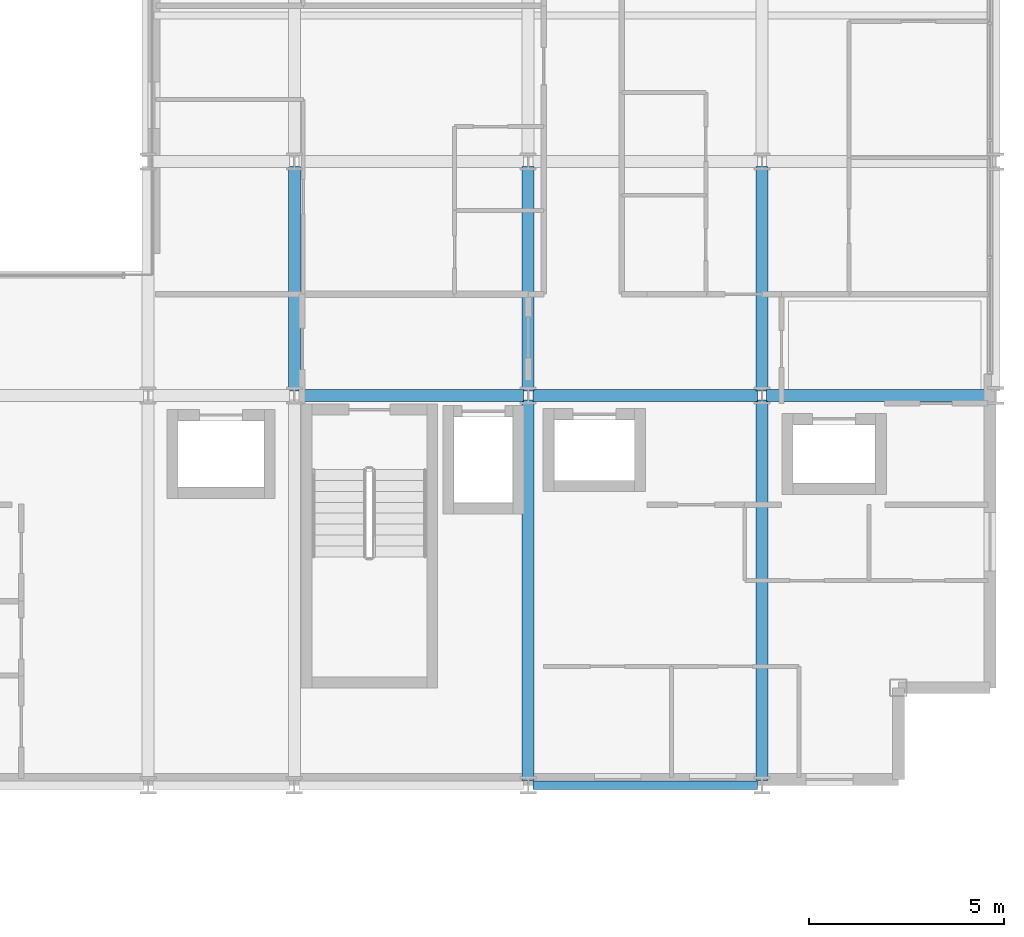
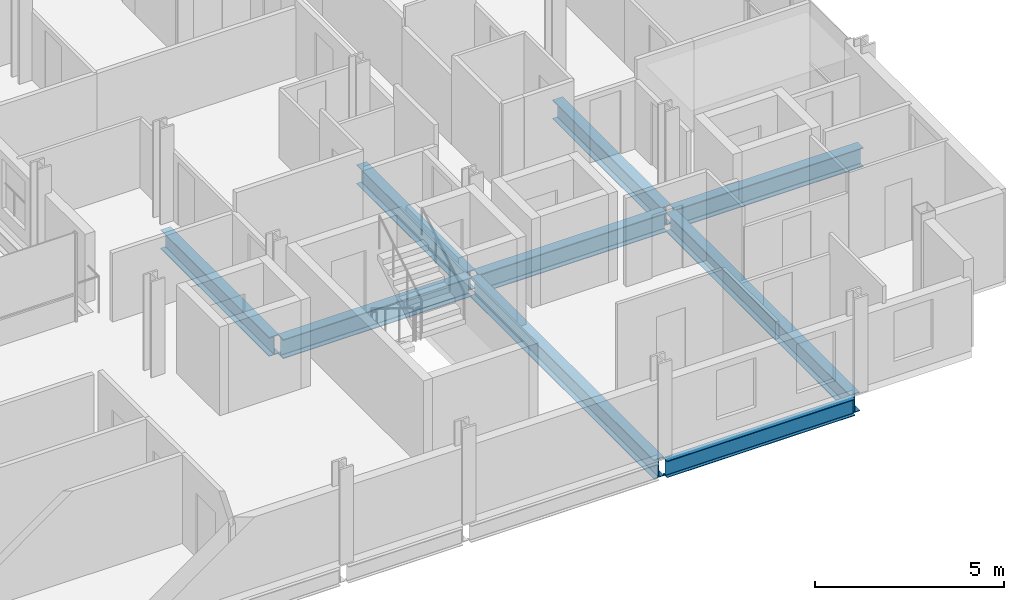
# One storey, part 14 of 40: 9 beams.
"""IFC4 building model written with IfcOpenShell, lengths in metres."""

from ifc_helpers import new_model, si_unit, direction, frame, origin, origin_2d, place, context, subcontext, project, spatial, i_section, extrude, material, material_profile, profile_set, type_object, element, save


model = new_model("IFC4")

# Units and contexts
model_context = context("Model", 3, precision=1e-05, world=origin(), true_north=direction((0.0, 1.0)))
body_context = subcontext(model_context, "Body", "Model", "MODEL_VIEW")
ifc_project = project(units=[si_unit("LENGTHUNIT", "METRE"), si_unit("AREAUNIT", "SQUARE_METRE"), si_unit("VOLUMEUNIT", "CUBIC_METRE"), si_unit("PLANEANGLEUNIT", "RADIAN"), si_unit("MASSUNIT", "GRAM", prefix="KILO")], contexts=[model_context])

# Site, building, storey
site_placement = place(None, origin())
site = spatial("IfcSite", under=ifc_project, at=site_placement, CompositionType="ELEMENT")
building_placement = place(site_placement, origin())
building = spatial("IfcBuilding", under=site, at=building_placement, Name="Brevholm Reach", CompositionType="ELEMENT")
storey_placement = place(building_placement, frame((0.0, 0.0, 62.10009765625)))
storey = spatial("IfcBuildingStorey", under=building, at=storey_placement, Name="L17", CompositionType="ELEMENT", Elevation=62.10009765625)

# Beams
ifc_material_1 = material(Name="Structural Steel S355J2", Category="steel")
ifc_material_profile_1 = material_profile(ifc_material_1, i_section(OverallWidth=0.210693359375, OverallDepth=0.53955078125, WebThickness=0.01171875, FlangeThickness=0.018798828125, FilletRadius=0.0126953125, at=origin_2d()), Name="UKB 533x210x109")
ifc_profile_set_1 = profile_set([ifc_material_profile_1], Name="Structural Steel S355J2")
beam_type_1 = type_object("IfcBeamType", Name="BM-SP539", PredefinedType="SPANDREL", material=ifc_profile_set_1)
beam_1_placement = place(storey_placement, frame((48.1201171875, 0.0, -0.499755859375), z_axis=(1.0, 0.0, 0.0), x_axis=(0.0, 1.0, 0.0)))
element("IfcBeam", 1, at=beam_1_placement, inside=storey, type_object=beam_type_1, Name="L17 SP-01B Framing Beam", PredefinedType="SPANDREL", context=body_context, shape_type="SweptSolid", body=[
    extrude(i_section(OverallWidth=0.210693359375, OverallDepth=0.53955078125, WebThickness=0.01171875, FlangeThickness=0.018798828125, FilletRadius=0.0126953125, at=origin_2d()), origin(), (0.0, 0.0, 1.0), 5.759765625),
])
ifc_material_2 = material(Name="Structural Steel S355J2", Category="steel")
ifc_material_profile_2 = material_profile(ifc_material_2, i_section(OverallWidth=0.30712890625, OverallDepth=0.6201171875, WebThickness=0.01416015625, FlangeThickness=0.023681640625, FilletRadius=0.0166015625, at=origin_2d()), Name="UKB 610x305x179")
ifc_profile_set_2 = profile_set([ifc_material_profile_2], Name="Structural Steel S355J2")
beam_type_2 = type_object("IfcBeamType", Name="BM-UKB610H", PredefinedType="USERDEFINED", material=ifc_profile_set_2)
for number, where, z_axis, x_axis, name in (
    (2, (42.1201171875, 10.0, -0.540283203125), (1.0, 0.0, 0.0), (0.0, 1.0, 0.0), "L17 G-06 Framing Beam"),
    (3, (48.1201171875, 10.0, -0.540283203125), (1.0, 0.0, 0.0), (0.0, 1.0, 0.0), "L17 G-06 Framing Beam"),
    (4, (54.1201171875, 10.0, -0.540283203125), (1.0, 0.0, 0.0), (0.0, 1.0, 0.0), "L17 G-06 Framing Beam"),
    (5, (42.0, 10.1201171875, -0.540283203125), (0.0, 1.0, 0.0), (-1.0, 0.0, 0.0), "L17 G-06 Framing Beam"),
):
    element("IfcBeam", number, at=place(storey_placement, frame(where, z_axis=z_axis, x_axis=x_axis)), inside=storey, type_object=beam_type_2, Name=name, ObjectType="GIRDER", PredefinedType="USERDEFINED", context=body_context, shape_type="SweptSolid", body=[
        extrude(i_section(OverallWidth=0.30712890625, OverallDepth=0.6201171875, WebThickness=0.01416015625, FlangeThickness=0.023681640625, FilletRadius=0.0166015625, at=origin_2d()), origin(), (0.0, 0.0, 1.0), 5.759765625),
    ])
beam_2_placement = place(storey_placement, frame((48.0, 0.1201171875, -0.540283203125), z_axis=(0.0, 1.0, 0.0), x_axis=(-1.0, 0.0, 0.0)))
element("IfcBeam", 6, at=beam_2_placement, inside=storey, type_object=beam_type_2, Name="L17 G-06 Framing Beam", ObjectType="GIRDER", PredefinedType="USERDEFINED", context=body_context, shape_type="SweptSolid", body=[
    extrude(i_section(OverallWidth=0.30712890625, OverallDepth=0.6201171875, WebThickness=0.01416015625, FlangeThickness=0.023681640625, FilletRadius=0.0166015625, at=origin_2d()), origin(), (0.0, 0.0, 1.0), 9.759765625),
])
beam_3_placement = place(storey_placement, frame((48.0, 10.1201171875, -0.540283203125), z_axis=(0.0, 1.0, 0.0), x_axis=(-1.0, 0.0, 0.0)))
element("IfcBeam", 7, at=beam_3_placement, inside=storey, type_object=beam_type_2, Name="L17 G-06 Framing Beam", ObjectType="GIRDER", PredefinedType="USERDEFINED", context=body_context, shape_type="SweptSolid", body=[
    extrude(i_section(OverallWidth=0.30712890625, OverallDepth=0.6201171875, WebThickness=0.01416015625, FlangeThickness=0.023681640625, FilletRadius=0.0166015625, at=origin_2d()), origin(), (0.0, 0.0, 1.0), 5.759765625),
])
beam_4_placement = place(storey_placement, frame((54.0, 0.1201171875, -0.540283203125), z_axis=(0.0, 1.0, 0.0), x_axis=(-1.0, 0.0, 0.0)))
element("IfcBeam", 8, at=beam_4_placement, inside=storey, type_object=beam_type_2, Name="L17 G-06 Framing Beam", ObjectType="GIRDER", PredefinedType="USERDEFINED", context=body_context, shape_type="SweptSolid", body=[
    extrude(i_section(OverallWidth=0.30712890625, OverallDepth=0.6201171875, WebThickness=0.01416015625, FlangeThickness=0.023681640625, FilletRadius=0.0166015625, at=origin_2d()), origin(), (0.0, 0.0, 1.0), 9.759765625),
])
beam_5_placement = place(storey_placement, frame((54.0, 10.1201171875, -0.540283203125), z_axis=(0.0, 1.0, 0.0), x_axis=(-1.0, 0.0, 0.0)))
element("IfcBeam", 9, at=beam_5_placement, inside=storey, type_object=beam_type_2, Name="L17 G-06 Framing Beam", ObjectType="GIRDER", PredefinedType="USERDEFINED", context=body_context, shape_type="SweptSolid", body=[
    extrude(i_section(OverallWidth=0.30712890625, OverallDepth=0.6201171875, WebThickness=0.01416015625, FlangeThickness=0.023681640625, FilletRadius=0.0166015625, at=origin_2d()), origin(), (0.0, 0.0, 1.0), 5.759765625),
])

save(model, "model.ifc")
